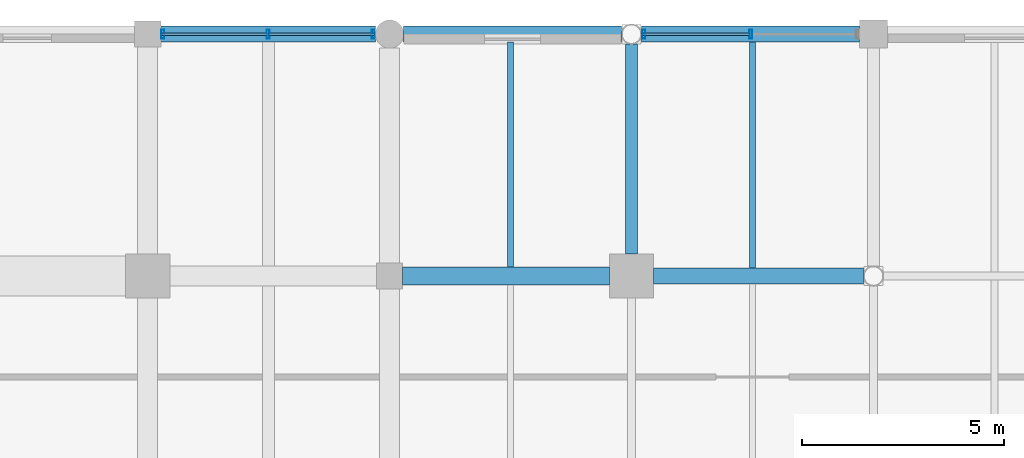
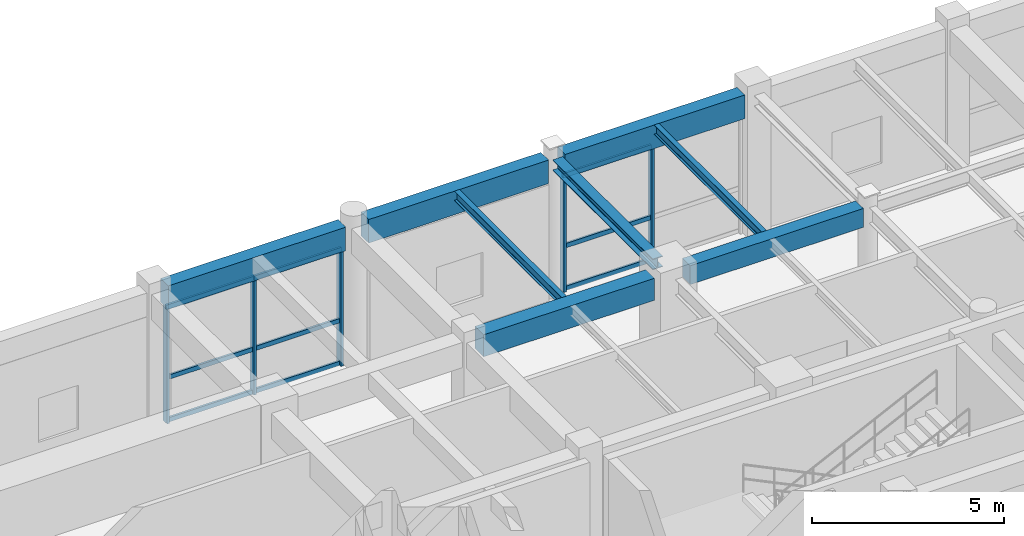
# One storey, part 61 of 123: 14 members, 8 beams, 2 elements without a shape of their own.
"""IFC4 building model written with IfcOpenShell, lengths in metres."""

from ifc_helpers import new_model, si_unit, direction, frame, origin, origin_2d, place, context, subcontext, project, spatial, rectangle, hollow_rectangle, i_section, extrude, material, material_profile, profile_set, type_object, element, aggregate, save


model = new_model("IFC4")

# Units and contexts
model_context = context("Model", 3, precision=1e-05, world=origin(), true_north=direction((0.0, 1.0)))
body_context = subcontext(model_context, "Body", "Model", "MODEL_VIEW")
ifc_project = project(units=[si_unit("LENGTHUNIT", "METRE"), si_unit("AREAUNIT", "SQUARE_METRE"), si_unit("VOLUMEUNIT", "CUBIC_METRE"), si_unit("PLANEANGLEUNIT", "RADIAN"), si_unit("MASSUNIT", "GRAM", prefix="KILO"), si_unit("THERMODYNAMICTEMPERATUREUNIT", "KELVIN"), si_unit("POWERUNIT", "WATT")], contexts=[model_context])

# Site, building, storey
site_placement = place(None, origin())
site = spatial("IfcSite", under=ifc_project, at=site_placement, CompositionType="ELEMENT")
building_placement = place(site_placement, origin())
building = spatial("IfcBuilding", under=site, at=building_placement, Name="Phaisarnlok Congress Hotel", CompositionType="ELEMENT")
storey_placement = place(building_placement, frame((0.0, 0.0, 15.0)))
storey = spatial("IfcBuildingStorey", under=building, at=storey_placement, Name="L03", CompositionType="ELEMENT", Elevation=15.0)

# Beams
ifc_material_1 = material(Name="Concrete C40/50", Category="concrete")
ifc_material_profile_1 = material_profile(ifc_material_1, rectangle(XDim=0.39990234375, YDim=0.60009765625, at=origin_2d()), Name="RC 400x600")
ifc_profile_set_1 = profile_set([ifc_material_profile_1], Name="Concrete C40/50")
beam_type_1 = type_object("IfcBeamType", Name="BM-RC-400x600", PredefinedType="BEAM", material=ifc_profile_set_1)
beam_1_placement = place(storey_placement, frame((108.544921875, 120.0, 4.14990234375), z_axis=(1.0, 0.0, 0.0), x_axis=(0.0, 1.0, 0.0)))
element("IfcBeam", 1, at=beam_1_placement, inside=storey, type_object=beam_type_1, Name="Beam B-02", PredefinedType="BEAM", context=body_context, shape_type="SweptSolid", body=[
    extrude(rectangle(XDim=0.39990234375, YDim=0.60009765625, at=origin_2d()), origin(), (0.0, 0.0, 1.0), 5.2060546875),
])
ifc_material_profile_2 = material_profile(ifc_material_1, rectangle(XDim=0.449951171875, YDim=0.699951171875, at=origin_2d()), Name="RC 450x700")
ifc_profile_set_2 = profile_set([ifc_material_profile_2], Name="Concrete C40/50")
beam_type_2 = type_object("IfcBeamType", Name="BM-RC-450x700", PredefinedType="BEAM", material=ifc_profile_set_2)
beam_2_placement = place(storey_placement, frame((102.320068359375, 120.0, 4.10009765625), z_axis=(1.0, 0.0, 0.0), x_axis=(0.0, 1.0, 0.0)))
element("IfcBeam", 2, at=beam_2_placement, inside=storey, type_object=beam_type_2, Name="Beam B-03", PredefinedType="BEAM", context=body_context, shape_type="SweptSolid", body=[
    extrude(rectangle(XDim=0.449951171875, YDim=0.699951171875, at=origin_2d()), origin(), (0.0, 0.0, 1.0), 5.135009765625),
])
ifc_material_2 = material(Name="Steel S355", Category="steel")
ifc_material_profile_3 = material_profile(ifc_material_2, i_section(OverallWidth=0.300048828125, OverallDepth=0.340087890625, WebThickness=0.011962890625, FlangeThickness=0.021484375, FilletRadius=0.027099609375, at=origin_2d()), Name="HEB 340")
ifc_profile_set_3 = profile_set([ifc_material_profile_3], Name="Steel S355")
beam_type_3 = type_object("IfcBeamType", Name="BM-STL-HEB340", PredefinedType="BEAM", material=ifc_profile_set_3)
beam_3_placement = place(storey_placement, frame((108.0, 120.544921875, 4.280029296875), z_axis=(0.0, 1.0, 0.0), x_axis=(-1.0, 0.0, 0.0)))
element("IfcBeam", 3, at=beam_3_placement, inside=storey, type_object=beam_type_3, Name="Beam SB-07", PredefinedType="BEAM", context=body_context, shape_type="SweptSolid", body=[
    extrude(i_section(OverallWidth=0.300048828125, OverallDepth=0.340087890625, WebThickness=0.011962890625, FlangeThickness=0.021484375, FilletRadius=0.027099609375, at=origin_2d()), origin(), (0.0, 0.0, 1.0), 5.2060546875),
])

# Curtain wall, members
ifc_material_3 = material(Name="Thermally Broken Unitised Aluminium & Low-E Glazing", Category="aluminium")
curtain_wall_type_1 = type_object("IfcCurtainWallType", Name="CW-UNIT-31", PredefinedType="NOTDEFINED", material=ifc_material_3)
curtain_wall_1_placement = place(storey_placement, origin())
curtain_wall_1 = element("IfcCurtainWall", 4, at=curtain_wall_1_placement, inside=storey, type_object=curtain_wall_type_1, Name="Unitised curtain wall CW-31 (L03)", PredefinedType="NOTDEFINED")
ifc_material_4 = material(Name="Anodised Aluminium Alloy 6063-T6", Category="aluminium")
ifc_material_profile_4 = material_profile(ifc_material_4, hollow_rectangle(XDim=0.074951171875, YDim=0.219970703125, WallThickness=0.0048828125, at=origin_2d()), Name="ALU-M 75x220x5")
ifc_profile_set_4 = profile_set([ifc_material_profile_4], Name="Anodised Aluminium Alloy 6063-T6")
member_type_1 = type_object("IfcMemberType", Name="CWM-220", PredefinedType="MULLION", material=ifc_profile_set_4)
member_1_placement = place(storey_placement, frame((110.951904296875, 126.0, 0.0), z_axis=(0.0, 0.0, 1.0), x_axis=(-1.0, 0.0, 0.0)))
member_1 = element("IfcMember", 5, at=member_1_placement, type_object=member_type_1, Name="Curtain wall mullion CWM-02", PredefinedType="MULLION", context=body_context, shape_type="SweptSolid", body=[
    extrude(hollow_rectangle(XDim=0.074951171875, YDim=0.219970703125, WallThickness=0.0048828125, at=origin_2d()), origin(), (0.0, 0.0, 1.0), 3.699951171875),
])
member_2_placement = place(storey_placement, frame((108.303955078125, 126.0, 0.0), z_axis=(0.0, 0.0, 1.0), x_axis=(-1.0, 0.0, 0.0)))
member_2 = element("IfcMember", 6, at=member_2_placement, type_object=member_type_1, Name="Curtain wall mullion CWM-02", PredefinedType="MULLION", context=body_context, shape_type="SweptSolid", body=[
    extrude(hollow_rectangle(XDim=0.074951171875, YDim=0.219970703125, WallThickness=0.0048828125, at=origin_2d()), origin(), (0.0, 0.0, 1.0), 3.699951171875),
])

curtain_wall_type_2 = type_object("IfcCurtainWallType", Name="CW-UNIT-30", PredefinedType="NOTDEFINED", material=ifc_material_3)
curtain_wall_2_placement = place(storey_placement, origin())
curtain_wall_2 = element("IfcCurtainWall", 7, at=curtain_wall_2_placement, inside=storey, type_object=curtain_wall_type_2, Name="Unitised curtain wall CW-30 (L03)", PredefinedType="NOTDEFINED")
member_3_placement = place(storey_placement, frame((101.60009765625, 126.0, 0.0), z_axis=(0.0, 0.0, 1.0), x_axis=(-1.0, 0.0, 0.0)))
member_3 = element("IfcMember", 8, at=member_3_placement, type_object=member_type_1, Name="Curtain wall mullion CWM-02", PredefinedType="MULLION", context=body_context, shape_type="SweptSolid", body=[
    extrude(hollow_rectangle(XDim=0.074951171875, YDim=0.219970703125, WallThickness=0.0048828125, at=origin_2d()), origin(), (0.0, 0.0, 1.0), 3.699951171875),
])
member_4_placement = place(storey_placement, frame((98.987548828125, 126.0, 0.0), z_axis=(0.0, 0.0, 1.0), x_axis=(-1.0, 0.0, 0.0)))
member_4 = element("IfcMember", 9, at=member_4_placement, type_object=member_type_1, Name="Curtain wall mullion CWM-02", PredefinedType="MULLION", context=body_context, shape_type="SweptSolid", body=[
    extrude(hollow_rectangle(XDim=0.074951171875, YDim=0.219970703125, WallThickness=0.0048828125, at=origin_2d()), origin(), (0.0, 0.0, 1.0), 3.699951171875),
])
member_5_placement = place(storey_placement, frame((96.375, 126.0, 0.0), z_axis=(0.0, 0.0, 1.0), x_axis=(-1.0, 0.0, 0.0)))
member_5 = element("IfcMember", 10, at=member_5_placement, type_object=member_type_1, Name="Curtain wall mullion CWM-02", PredefinedType="MULLION", context=body_context, shape_type="SweptSolid", body=[
    extrude(hollow_rectangle(XDim=0.074951171875, YDim=0.219970703125, WallThickness=0.0048828125, at=origin_2d()), origin(), (0.0, 0.0, 1.0), 3.699951171875),
])

# Member
ifc_material_profile_5 = material_profile(ifc_material_4, hollow_rectangle(XDim=0.06494140625, YDim=0.139892578125, WallThickness=0.00390625, at=origin_2d()), Name="ALU-T 65x140x4")
ifc_profile_set_5 = profile_set([ifc_material_profile_5], Name="Anodised Aluminium Alloy 6063-T6")
member_type_2 = type_object("IfcMemberType", Name="CWT-150", PredefinedType="USERDEFINED", material=ifc_profile_set_5)
member_6_placement = place(storey_placement, frame((110.93701171875, 126.0, 0.050048828125), z_axis=(-1.0, 0.0, 0.0), x_axis=(0.0, -1.0, 0.0)))
member_6 = element("IfcMember", 11, at=member_6_placement, type_object=member_type_2, Name="Curtain wall transom CWT-01", ObjectType="TRANSOM", PredefinedType="USERDEFINED", context=body_context, shape_type="SweptSolid", body=[
    extrude(hollow_rectangle(XDim=0.06494140625, YDim=0.139892578125, WallThickness=0.00390625, at=origin_2d()), origin(), (0.0, 0.0, 1.0), 2.657958984375),
])

member_7_placement = place(storey_placement, frame((110.93701171875, 126.0, 1.406005859375), z_axis=(-1.0, 0.0, 0.0), x_axis=(0.0, -1.0, 0.0)))
member_7 = element("IfcMember", 12, at=member_7_placement, type_object=member_type_2, Name="Curtain wall transom CWT-01", ObjectType="TRANSOM", PredefinedType="USERDEFINED", context=body_context, shape_type="SweptSolid", body=[
    extrude(hollow_rectangle(XDim=0.06494140625, YDim=0.139892578125, WallThickness=0.00390625, at=origin_2d()), origin(), (0.0, 0.0, 1.0), 2.657958984375),
])

member_8_placement = place(storey_placement, frame((110.93701171875, 126.0, 3.64990234375), z_axis=(-1.0, 0.0, 0.0), x_axis=(0.0, -1.0, 0.0)))
member_8 = element("IfcMember", 13, at=member_8_placement, type_object=member_type_2, Name="Curtain wall transom CWT-01", ObjectType="TRANSOM", PredefinedType="USERDEFINED", context=body_context, shape_type="SweptSolid", body=[
    extrude(hollow_rectangle(XDim=0.06494140625, YDim=0.139892578125, WallThickness=0.00390625, at=origin_2d()), origin(), (0.0, 0.0, 1.0), 2.657958984375),
])

aggregate(curtain_wall_1, [member_1, member_2, member_6, member_7, member_8])

member_9_placement = place(storey_placement, frame((101.625, 126.0, 0.050048828125), z_axis=(-1.0, 0.0, 0.0), x_axis=(0.0, -1.0, 0.0)))
member_9 = element("IfcMember", 14, at=member_9_placement, type_object=member_type_2, Name="Curtain wall transom CWT-01", ObjectType="TRANSOM", PredefinedType="USERDEFINED", context=body_context, shape_type="SweptSolid", body=[
    extrude(hollow_rectangle(XDim=0.06494140625, YDim=0.139892578125, WallThickness=0.00390625, at=origin_2d()), origin(), (0.0, 0.0, 1.0), 2.62255859375),
])

member_10_placement = place(storey_placement, frame((101.625, 126.0, 1.406005859375), z_axis=(-1.0, 0.0, 0.0), x_axis=(0.0, -1.0, 0.0)))
member_10 = element("IfcMember", 15, at=member_10_placement, type_object=member_type_2, Name="Curtain wall transom CWT-01", ObjectType="TRANSOM", PredefinedType="USERDEFINED", context=body_context, shape_type="SweptSolid", body=[
    extrude(hollow_rectangle(XDim=0.06494140625, YDim=0.139892578125, WallThickness=0.00390625, at=origin_2d()), origin(), (0.0, 0.0, 1.0), 2.62255859375),
])

member_11_placement = place(storey_placement, frame((101.625, 126.0, 3.64990234375), z_axis=(-1.0, 0.0, 0.0), x_axis=(0.0, -1.0, 0.0)))
member_11 = element("IfcMember", 16, at=member_11_placement, type_object=member_type_2, Name="Curtain wall transom CWT-01", ObjectType="TRANSOM", PredefinedType="USERDEFINED", context=body_context, shape_type="SweptSolid", body=[
    extrude(hollow_rectangle(XDim=0.06494140625, YDim=0.139892578125, WallThickness=0.00390625, at=origin_2d()), origin(), (0.0, 0.0, 1.0), 2.62255859375),
])

member_12_placement = place(storey_placement, frame((98.972412109375, 126.0, 0.050048828125), z_axis=(-1.0, 0.0, 0.0), x_axis=(0.0, -1.0, 0.0)))
member_12 = element("IfcMember", 17, at=member_12_placement, type_object=member_type_2, Name="Curtain wall transom CWT-01", ObjectType="TRANSOM", PredefinedType="USERDEFINED", context=body_context, shape_type="SweptSolid", body=[
    extrude(hollow_rectangle(XDim=0.06494140625, YDim=0.139892578125, WallThickness=0.00390625, at=origin_2d()), origin(), (0.0, 0.0, 1.0), 2.622314453125),
])

member_13_placement = place(storey_placement, frame((98.972412109375, 126.0, 1.406005859375), z_axis=(-1.0, 0.0, 0.0), x_axis=(0.0, -1.0, 0.0)))
member_13 = element("IfcMember", 18, at=member_13_placement, type_object=member_type_2, Name="Curtain wall transom CWT-01", ObjectType="TRANSOM", PredefinedType="USERDEFINED", context=body_context, shape_type="SweptSolid", body=[
    extrude(hollow_rectangle(XDim=0.06494140625, YDim=0.139892578125, WallThickness=0.00390625, at=origin_2d()), origin(), (0.0, 0.0, 1.0), 2.622314453125),
])

member_14_placement = place(storey_placement, frame((98.972412109375, 126.0, 3.64990234375), z_axis=(-1.0, 0.0, 0.0), x_axis=(0.0, -1.0, 0.0)))
member_14 = element("IfcMember", 19, at=member_14_placement, type_object=member_type_2, Name="Curtain wall transom CWT-01", ObjectType="TRANSOM", PredefinedType="USERDEFINED", context=body_context, shape_type="SweptSolid", body=[
    extrude(hollow_rectangle(XDim=0.06494140625, YDim=0.139892578125, WallThickness=0.00390625, at=origin_2d()), origin(), (0.0, 0.0, 1.0), 2.622314453125),
])

aggregate(curtain_wall_2, [member_3, member_4, member_5, member_9, member_10, member_11, member_12, member_13, member_14])

# Beams
ifc_material_profile_6 = material_profile(ifc_material_2, i_section(OverallWidth=0.14990234375, OverallDepth=0.300048828125, WebThickness=0.007080078125, FlangeThickness=0.0107421875, FilletRadius=0.014892578125, at=origin_2d()), Name="IPE 300")
ifc_profile_set_6 = profile_set([ifc_material_profile_6], Name="Steel S355")
beam_type_4 = type_object("IfcBeamType", Name="JS-STL-IPE300", PredefinedType="JOIST", material=ifc_profile_set_6)
beam_4_placement = place(storey_placement, frame((105.0, 120.219970703125, 4.300048828125), z_axis=(0.0, 1.0, 0.0), x_axis=(-1.0, 0.0, 0.0)))
element("IfcBeam", 20, at=beam_4_placement, inside=storey, type_object=beam_type_4, Name="Secondary floor joist J-03", PredefinedType="JOIST", context=body_context, shape_type="SweptSolid", body=[
    extrude(i_section(OverallWidth=0.14990234375, OverallDepth=0.300048828125, WebThickness=0.007080078125, FlangeThickness=0.0107421875, FilletRadius=0.014892578125, at=origin_2d()), origin(), (0.0, 0.0, 1.0), 5.5849609375),
])
beam_5_placement = place(storey_placement, frame((111.0, 120.195068359375, 4.300048828125), z_axis=(0.0, 1.0, 0.0), x_axis=(-1.0, 0.0, 0.0)))
element("IfcBeam", 21, at=beam_5_placement, inside=storey, type_object=beam_type_4, Name="Secondary floor joist J-03", PredefinedType="JOIST", context=body_context, shape_type="SweptSolid", body=[
    extrude(i_section(OverallWidth=0.14990234375, OverallDepth=0.300048828125, WebThickness=0.007080078125, FlangeThickness=0.0107421875, FilletRadius=0.014892578125, at=origin_2d()), origin(), (0.0, 0.0, 1.0), 5.60986328125),
])
ifc_material_profile_7 = material_profile(ifc_material_1, rectangle(XDim=0.39990234375, YDim=0.75, at=origin_2d()), Name="RC 400x750")
ifc_profile_set_7 = profile_set([ifc_material_profile_7], Name="Concrete C40/50")
beam_type_5 = type_object("IfcBeamType", Name="SP-RC-400x750", PredefinedType="SPANDREL", material=ifc_profile_set_7)
beam_6_placement = place(storey_placement, frame((96.320068359375, 126.0, 4.074951171875), z_axis=(1.0, 0.0, 0.0), x_axis=(0.0, 1.0, 0.0)))
element("IfcBeam", 22, at=beam_6_placement, inside=storey, type_object=beam_type_5, Name="Beam SP-02", PredefinedType="SPANDREL", context=body_context, shape_type="SweptSolid", body=[
    extrude(rectangle(XDim=0.39990234375, YDim=0.75, at=origin_2d()), origin(), (0.0, 0.0, 1.0), 5.3349609375),
])
for number, where, z_axis, x_axis, name in (
    (23, (102.344970703125, 126.0, 4.074951171875), (1.0, 0.0, 0.0), (0.0, 1.0, 0.0), "Beam SP-02"),
    (24, (108.2490234375, 126.0, 4.074951171875), (1.0, 0.0, 0.0), (0.0, 1.0, 0.0), "Beam SP-02"),
):
    element("IfcBeam", number, at=place(storey_placement, frame(where, z_axis=z_axis, x_axis=x_axis)), inside=storey, type_object=beam_type_5, Name=name, PredefinedType="SPANDREL", context=body_context, shape_type="SweptSolid", body=[
        extrude(rectangle(XDim=0.39990234375, YDim=0.75, at=origin_2d()), origin(), (0.0, 0.0, 1.0), 5.406005859375),
    ])

save(model, "model.ifc")
